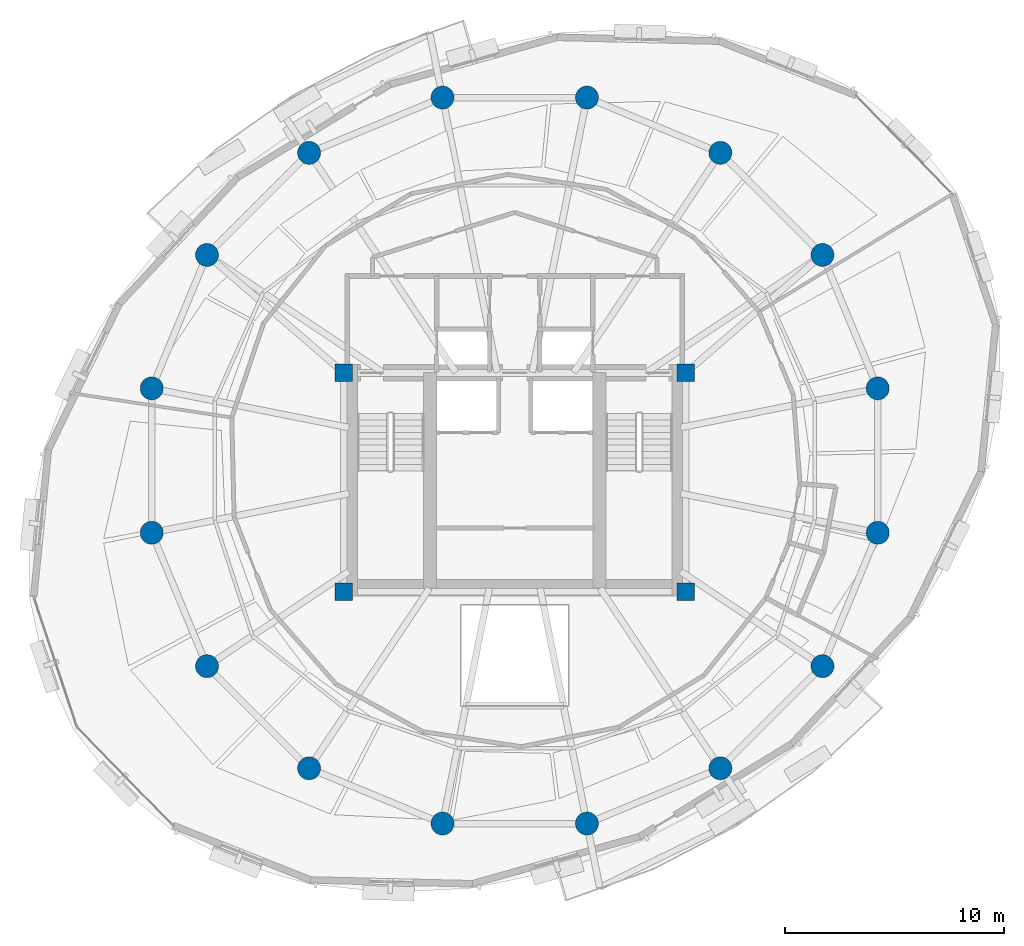
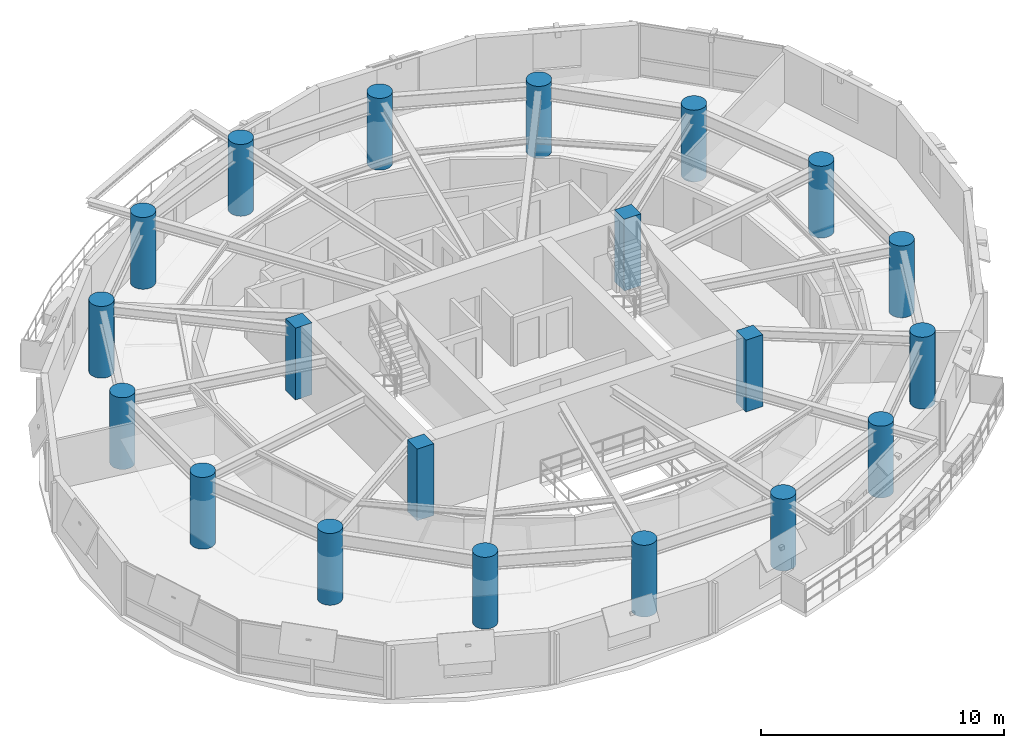
# One storey, part 1 of 15: 20 columns.
"""IFC4 building model written with IfcOpenShell, lengths in metres."""

from ifc_helpers import new_model, si_unit, direction, frame, origin, origin_2d, place, context, subcontext, project, spatial, rectangle, circle, extrude, material, material_profile, profile_set, type_object, element, save


model = new_model("IFC4")

# Units and contexts
model_context = context("Model", 3, precision=1e-05, world=origin(), true_north=direction((0.0, 1.0)))
body_context = subcontext(model_context, "Body", "Model", "MODEL_VIEW")
ifc_project = project(units=[si_unit("LENGTHUNIT", "METRE"), si_unit("AREAUNIT", "SQUARE_METRE"), si_unit("VOLUMEUNIT", "CUBIC_METRE"), si_unit("PLANEANGLEUNIT", "RADIAN"), si_unit("MASSUNIT", "GRAM", prefix="KILO"), si_unit("THERMODYNAMICTEMPERATUREUNIT", "KELVIN"), si_unit("POWERUNIT", "WATT")], contexts=[model_context])

# Site, building, storey
site_placement = place(None, origin())
site = spatial("IfcSite", under=ifc_project, at=site_placement, CompositionType="ELEMENT")
building_placement = place(site_placement, origin())
building = spatial("IfcBuilding", under=site, at=building_placement, Name="Ocrelia Relay Tower", CompositionType="ELEMENT")
storey_placement = place(building_placement, frame((0.0, 0.0, 166.39990234375)))
storey = spatial("IfcBuildingStorey", under=building, at=storey_placement, Name="L39", CompositionType="ELEMENT", Elevation=166.39990234375)

# Columns
ifc_material = material(Name="Concrete C60/75", Category="concrete")
ifc_material_profile_1 = material_profile(ifc_material, circle(Radius=0.52490234375, at=origin_2d()), Name="RC-CIR-1050")
ifc_profile_set_1 = profile_set([ifc_material_profile_1], Name="Concrete C60/75")
column_type_1 = type_object("IfcColumnType", Name="COL-CT-1050", PredefinedType="COLUMN", material=ifc_profile_set_1)
for number, where, z_axis, x_axis, name in (
    (1, (50.5751953125, 29.297119140625, 0.0), (0.0, 0.0, 1.0), (1.0, 0.0, 0.0), "L39 Perimeter Ring Column C01"),
    (2, (48.0517578125, 35.38916015625, 0.0), (0.0, 0.0, 1.0), (1.0, 0.0, 0.0), "L39 Perimeter Ring Column C02"),
    (3, (43.38916015625, 40.0517578125, 0.0), (0.0, 0.0, 1.0), (1.0, 0.0, 0.0), "L39 Perimeter Ring Column C03"),
    (4, (37.297119140625, 42.5751953125, 0.0), (0.0, 0.0, 1.0), (1.0, 0.0, 0.0), "L39 Perimeter Ring Column C04"),
    (5, (30.702880859375, 42.5751953125, 0.0), (0.0, 0.0, 1.0), (1.0, 0.0, 0.0), "L39 Perimeter Ring Column C05"),
    (6, (24.61083984375, 40.0517578125, 0.0), (0.0, 0.0, 1.0), (1.0, 0.0, 0.0), "L39 Perimeter Ring Column C06"),
    (7, (19.9482421875, 35.38916015625, 0.0), (0.0, 0.0, 1.0), (1.0, 0.0, 0.0), "L39 Perimeter Ring Column C07"),
    (8, (17.4248046875, 29.297119140625, 0.0), (0.0, 0.0, 1.0), (1.0, 0.0, 0.0), "L39 Perimeter Ring Column C08"),
    (9, (17.4248046875, 22.702880859375, 0.0), (0.0, 0.0, 1.0), (1.0, 0.0, 0.0), "L39 Perimeter Ring Column C09"),
    (10, (19.9482421875, 16.61083984375, 0.0), (0.0, 0.0, 1.0), (1.0, 0.0, 0.0), "L39 Perimeter Ring Column C10"),
    (11, (24.61083984375, 11.9482421875, 0.0), (0.0, 0.0, 1.0), (1.0, 0.0, 0.0), "L39 Perimeter Ring Column C11"),
    (12, (30.702880859375, 9.4248046875, 0.0), (0.0, 0.0, 1.0), (1.0, 0.0, 0.0), "L39 Perimeter Ring Column C12"),
    (13, (37.297119140625, 9.4248046875, 0.0), (0.0, 0.0, 1.0), (1.0, 0.0, 0.0), "L39 Perimeter Ring Column C13"),
    (14, (43.38916015625, 11.9482421875, 0.0), (0.0, 0.0, 1.0), (1.0, 0.0, 0.0), "L39 Perimeter Ring Column C14"),
    (15, (48.0517578125, 16.61083984375, 0.0), (0.0, 0.0, 1.0), (1.0, 0.0, 0.0), "L39 Perimeter Ring Column C15"),
    (16, (50.5751953125, 22.702880859375, 0.0), (0.0, 0.0, 1.0), (1.0, 0.0, 0.0), "L39 Perimeter Ring Column C16"),
):
    element("IfcColumn", number, at=place(storey_placement, frame(where, z_axis=z_axis, x_axis=x_axis)), inside=storey, type_object=column_type_1, Name=name, PredefinedType="COLUMN", context=body_context, shape_type="SweptSolid", body=[
        extrude(circle(Radius=0.52490234375, at=origin_2d()), origin(), (0.0, 0.0, 1.0), 3.60009765625),
    ])
ifc_material_profile_2 = material_profile(ifc_material, rectangle(XDim=0.800048828125, YDim=0.800048828125, at=origin_2d()), Name="RC-COL-800x800")
ifc_profile_set_2 = profile_set([ifc_material_profile_2], Name="Concrete C60/75")
column_type_2 = type_object("IfcColumnType", Name="COL-PILASTER-800", PredefinedType="PILASTER", material=ifc_profile_set_2)
for number, where, z_axis, x_axis, name in (
    (17, (26.199951171875, 20.0, 0.0), (0.0, 0.0, 1.0), (1.0, 0.0, 0.0), "L39 Core Corner Pilaster SW"),
    (18, (41.800048828125, 20.0, 0.0), (0.0, 0.0, 1.0), (1.0, 0.0, 0.0), "L39 Core Corner Pilaster SE"),
    (19, (26.199951171875, 30.0, 0.0), (0.0, 0.0, 1.0), (1.0, 0.0, 0.0), "L39 Core Corner Pilaster NW"),
    (20, (41.800048828125, 30.0, 0.0), (0.0, 0.0, 1.0), (1.0, 0.0, 0.0), "L39 Core Corner Pilaster NE"),
):
    element("IfcColumn", number, at=place(storey_placement, frame(where, z_axis=z_axis, x_axis=x_axis)), inside=storey, type_object=column_type_2, Name=name, PredefinedType="PILASTER", context=body_context, shape_type="SweptSolid", body=[
        extrude(rectangle(XDim=0.800048828125, YDim=0.800048828125, at=origin_2d()), origin(), (0.0, 0.0, 1.0), 3.60009765625),
    ])

save(model, "model.ifc")
